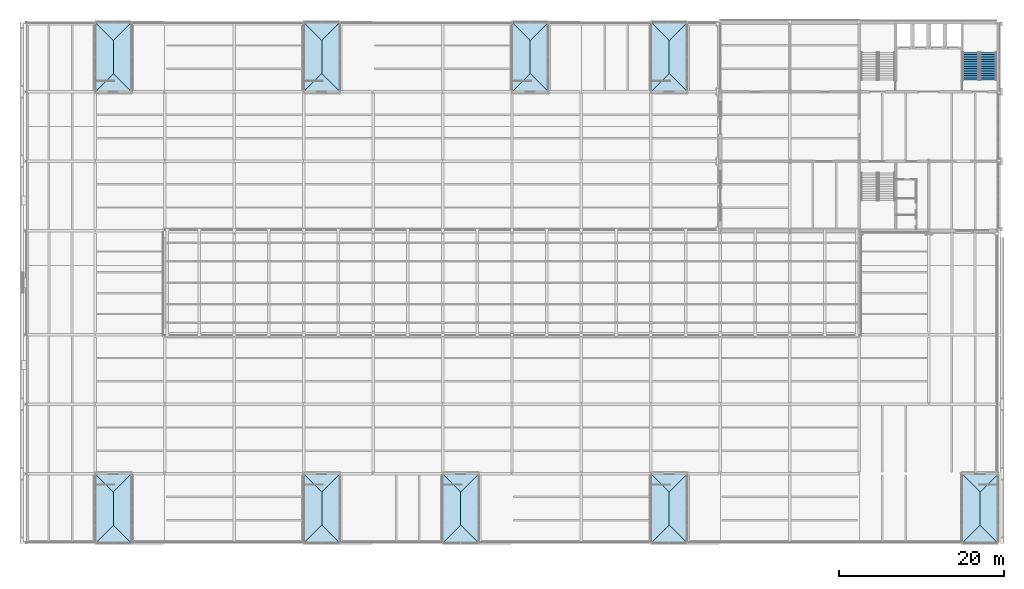
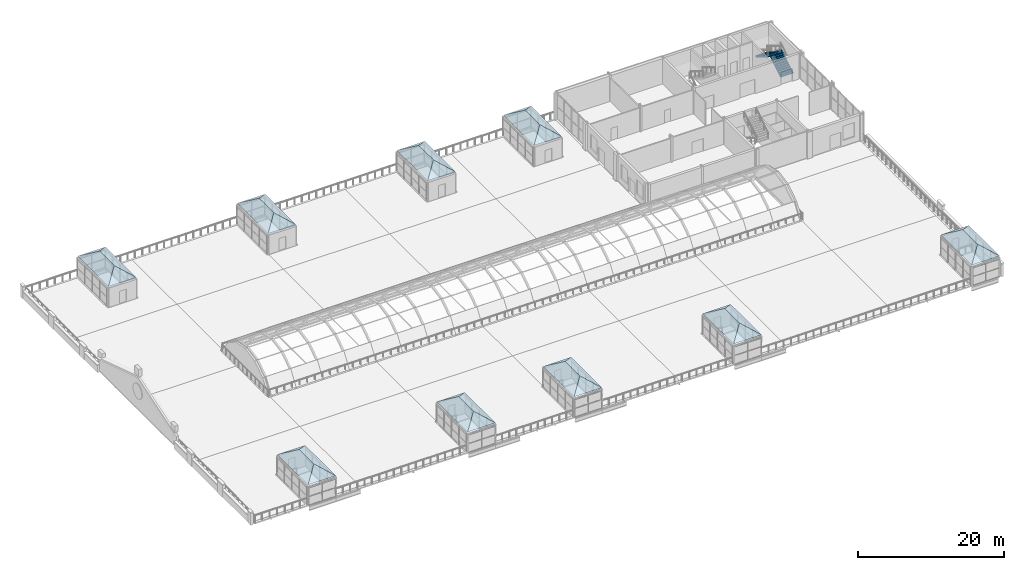
# One storey, part 42 of 58: 9 roofs, 2 stair flights, 1 element without a shape of its own.
"""IFC4 building model written with IfcOpenShell, lengths in metres."""

import ifcopenshell
import ifcopenshell.guid

model = None  # the IFC model being written
_history = None  # IfcOwnerHistory: only IFC2X3 demands one
_inside = {}  # id of a spatial element -> (the spatial element, [elements in it])
_under = {}  # id of a project, library or spatial element -> (it, [spatial elements below it])
_declared = {}  # id of a project -> (the project, [libraries it declares])
_typed = {}  # id of a type object -> (the type object, [elements of that type])
_made_of = {}  # id of a material, layer set ... -> (it, [elements and type objects made of it])


def new_model(schema):
    """Start an empty IFC model of exactly this schema.

    Asked for "IFC4X3", IfcOpenShell would pick the latest addendum, in which some entities
    have other attributes; the version numbers below select the first issue.
    IFC2X3 requires an IfcOwnerHistory on every rooted entity: one is made here for all.
    """
    global model, _history
    if schema == "IFC4X3":
        model = ifcopenshell.file(schema_version=(4, 3, 0, 0))
    else:
        model = ifcopenshell.file(schema=schema)
    _inside.clear()
    _under.clear()
    _declared.clear()
    _typed.clear()
    _made_of.clear()
    _history = None
    if model.schema == "IFC2X3":
        org = make("IfcOrganization", Name="unknown")
        user = make(
            "IfcPersonAndOrganization",
            ThePerson=make("IfcPerson", FamilyName="unknown"),
            TheOrganization=org,
        )
        app = make(
            "IfcApplication",
            ApplicationDeveloper=org,
            Version="unknown",
            ApplicationFullName="unknown",
            ApplicationIdentifier="unknown",
        )
        _history = make(
            "IfcOwnerHistory",
            OwningUser=user,
            OwningApplication=app,
            ChangeAction="ADDED",
            CreationDate=0,
        )
    return model


def make(cls, **values):
    """One entity of the class cls with the attributes given. An attribute that is None is left unset."""
    return model.create_entity(
        cls, **{name: value for name, value in values.items() if value is not None}
    )


def rooted(cls, **values):
    """An entity with a GlobalId (a new one), such as an element, a storey or a relation."""
    return make(cls, GlobalId=ifcopenshell.guid.new(), OwnerHistory=_history, **values)


def si_unit(unit_type, name, prefix=None):
    """IfcSIUnit, for example si_unit("LENGTHUNIT", "METRE", prefix="MILLI")."""
    return make("IfcSIUnit", UnitType=unit_type, Prefix=prefix, Name=name)


def assignment(units):
    """IfcUnitAssignment: the units of a project."""
    return None if units is None else make("IfcUnitAssignment", Units=units)


def point(xyz):
    """IfcCartesianPoint."""
    return None if xyz is None else make("IfcCartesianPoint", Coordinates=xyz)


def direction(xyz):
    """IfcDirection."""
    return None if xyz is None else make("IfcDirection", DirectionRatios=xyz)


def frame(location, z_axis=None, x_axis=None):
    """IfcAxis2Placement3D, a coordinate frame: its origin and axes. An axis left out is left unset."""
    return make(
        "IfcAxis2Placement3D",
        Location=point(location),
        Axis=direction(z_axis),
        RefDirection=direction(x_axis),
    )


def origin():
    """The frame at (0, 0, 0) with its axes left unset."""
    return frame((0.0, 0.0, 0.0))


def place(relative_to, where):
    """IfcLocalPlacement: puts the frame where relative to a parent placement (None: the world)."""
    return make(
        "IfcLocalPlacement", PlacementRelTo=relative_to, RelativePlacement=where
    )


def context(
    kind, dimensions, precision=None, world=None, true_north=None, identifier=None
):
    """IfcGeometricRepresentationContext, for example the 3D "Model" context."""
    return make(
        "IfcGeometricRepresentationContext",
        ContextIdentifier=identifier,
        ContextType=kind,
        CoordinateSpaceDimension=dimensions,
        Precision=precision,
        WorldCoordinateSystem=world,
        TrueNorth=true_north,
    )


def subcontext(parent, identifier, kind, view, scale=None):
    """IfcGeometricRepresentationSubContext, for example "Body" below "Model"."""
    return make(
        "IfcGeometricRepresentationSubContext",
        ContextIdentifier=identifier,
        ContextType=kind,
        ParentContext=parent,
        TargetScale=scale,
        TargetView=view,
    )


def project(units=None, contexts=None):
    """IfcProject with its units and contexts."""
    return rooted(
        "IfcProject",
        Name="project",
        RepresentationContexts=contexts,
        UnitsInContext=assignment(units),
    )


def spatial(cls, under=None, at=None, **own):
    """A site, building, storey or space (cls), placed at a placement, below another one or the project."""
    s = rooted(cls, ObjectPlacement=at, **own)
    if under is not None:
        _under.setdefault(under.id(), (under, []))[1].append(s)
    return s


def polyline(points):
    """IfcPolyline through the points."""
    return make("IfcPolyline", Points=[point(p) for p in points])


def outline(outer, holes=None, kind="AREA"):
    """IfcArbitraryClosedProfileDef: a profile drawn as a closed curve; with holes, ...WithVoids."""
    if holes is None:
        return make("IfcArbitraryClosedProfileDef", ProfileType=kind, OuterCurve=outer)
    return make(
        "IfcArbitraryProfileDefWithVoids",
        ProfileType=kind,
        OuterCurve=outer,
        InnerCurves=holes,
    )


def extrude(swept, where, along, depth):
    """IfcExtrudedAreaSolid: the profile swept, set in the frame where, extruded along a direction by depth."""
    return make(
        "IfcExtrudedAreaSolid",
        SweptArea=swept,
        Position=where,
        ExtrudedDirection=direction(along),
        Depth=depth,
    )


def faces_of(points, faces, orient=None, outer=None):
    """IfcFace entities. A face is a list of loops; a loop is a list of indices into points, from 0.

    orient and outer hold one flag for each loop. By default every Orientation is true, the
    first loop of a face is its IfcFaceOuterBound and the others are IfcFaceBound.
    """
    made = []
    for i, loops in enumerate(faces):
        bounds = []
        for j, loop in enumerate(loops):
            is_outer = j == 0 if outer is None else outer[i][j]
            bounds.append(
                make(
                    "IfcFaceOuterBound" if is_outer else "IfcFaceBound",
                    Bound=make("IfcPolyLoop", Polygon=[points[k] for k in loop]),
                    Orientation=True if orient is None else orient[i][j],
                )
            )
        made.append(make("IfcFace", Bounds=bounds))
    return made


def faceted_brep(points, faces, orient=None, outer=None, voids=None):
    """IfcFacetedBrep: a solid bounded by flat faces; with voids (closed shells), ...WithVoids."""
    shared = [point(p) for p in points]
    hull = make("IfcClosedShell", CfsFaces=faces_of(shared, faces, orient, outer))
    if voids is None:
        return make("IfcFacetedBrep", Outer=hull)
    return make(
        "IfcFacetedBrepWithVoids",
        Outer=hull,
        Voids=[
            make(cls, CfsFaces=faces_of(shared, fs, o, b)) for cls, fs, o, b in voids
        ],
    )


def shape(context_of_items, identifier, shape_type, items):
    """IfcShapeRepresentation: the items that make up one representation, for example the "Body"."""
    return make(
        "IfcShapeRepresentation",
        ContextOfItems=context_of_items,
        RepresentationIdentifier=identifier,
        RepresentationType=shape_type,
        Items=items,
    )


def material(Name=None, Category=None):
    """IfcMaterial."""
    return make("IfcMaterial", Name=Name, Category=Category)


def layer(
    of_material, thickness, ventilated=None, Name=None, Category=None, Priority=None
):
    """IfcMaterialLayer: one layer of a wall or slab, of a material (None: an air gap)."""
    return make(
        "IfcMaterialLayer",
        Material=of_material,
        LayerThickness=thickness,
        IsVentilated=ventilated,
        Name=Name,
        Category=Category,
        Priority=Priority,
    )


def layer_set(layers, Name=None):
    """IfcMaterialLayerSet."""
    return make("IfcMaterialLayerSet", MaterialLayers=layers, LayerSetName=Name)


def made_of(thing, what):
    """Note that an element or type object is made of a material, layer set ...; save() writes the relation."""
    if what is not None:
        _made_of.setdefault(what.id(), (what, []))[1].append(thing)
    return thing


def type_object(cls, material=None, **own):
    """A type object (cls), such as IfcWallType, which elements share."""
    return made_of(rooted(cls, **own), material)


def element(
    cls,
    number,
    at=None,
    inside=None,
    cuts=None,
    type_object=None,
    material=None,
    context=None,
    identifier="Body",
    shape_type=None,
    held_by="IfcProductDefinitionShape",
    body=None,
    shapes=None,
    **own,
):
    """One element of the class cls, such as IfcWall. Its Tag is "e" and its number.

    at: its placement. inside: the storey or other place that contains it. cuts: it is an
    opening in that element (IfcRelVoidsElement). A single representation is given by context,
    identifier, shape_type and body (its items); several are given by shapes. held_by: the class
    of the entity that holds the representations. save() writes the other relations.
    """
    e = rooted(cls, Tag="e%d" % number, ObjectPlacement=at, **own)
    if body is not None:
        shapes = [shape(context, identifier, shape_type, body)]
    if shapes is not None:
        e.Representation = make(held_by, Representations=shapes)
    if inside is not None:
        _inside.setdefault(inside.id(), (inside, []))[1].append(e)
    if cuts is not None:
        rooted(
            "IfcRelVoidsElement", RelatingBuildingElement=cuts, RelatedOpeningElement=e
        )
    if type_object is not None:
        _typed.setdefault(type_object.id(), (type_object, []))[1].append(e)
    return made_of(e, material)


def aggregate(whole, parts):
    """IfcRelAggregates: a whole, such as a stair, and the parts it consists of."""
    return rooted("IfcRelAggregates", RelatingObject=whole, RelatedObjects=parts)


def save(model, path):
    """Write the relations noted so far, then the file.

    IfcRelAggregates (storeys below a building ...), IfcRelContainedInSpatialStructure (elements
    in a storey), IfcRelDefinesByType, IfcRelAssociatesMaterial and IfcRelDeclares: one each for
    every whole, place, type object, material and project.
    """
    for whole, parts in _under.values():
        aggregate(whole, parts)
    for where, things in _inside.values():
        rooted(
            "IfcRelContainedInSpatialStructure",
            RelatedElements=things,
            RelatingStructure=where,
        )
    for kind, things in _typed.values():
        rooted("IfcRelDefinesByType", RelatedObjects=things, RelatingType=kind)
    for what, things in _made_of.values():
        rooted("IfcRelAssociatesMaterial", RelatedObjects=things, RelatingMaterial=what)
    for by, libraries in _declared.values():
        rooted("IfcRelDeclares", RelatingContext=by, RelatedDefinitions=libraries)
    model.write(path)


model = new_model("IFC4")

# Units and contexts
model_context = context("Model", 3, precision=1e-05, world=origin(), true_north=direction((0.0, 1.0)))
body_context = subcontext(model_context, "Body", "Model", "MODEL_VIEW")
ifc_project = project(units=[si_unit("LENGTHUNIT", "METRE"), si_unit("AREAUNIT", "SQUARE_METRE"), si_unit("VOLUMEUNIT", "CUBIC_METRE"), si_unit("PLANEANGLEUNIT", "RADIAN"), si_unit("MASSUNIT", "GRAM", prefix="KILO")], contexts=[model_context])

# Site, building, storey
site_placement = place(None, origin())
site = spatial("IfcSite", under=ifc_project, at=site_placement, CompositionType="ELEMENT")
building_placement = place(site_placement, origin())
building = spatial("IfcBuilding", under=site, at=building_placement, Name="Galleria Vessillo Department Store", CompositionType="ELEMENT")
storey_placement = place(building_placement, frame((0.0, 0.0, 31.199951171875)))
storey = spatial("IfcBuildingStorey", under=building, at=storey_placement, Name="L06", CompositionType="ELEMENT", Elevation=31.199951171875)

# Stair, stair flights
ifc_material_1 = material(Name="Concrete C32/40", Category="concrete")
stair_type = type_object("IfcStairType", Name="Half-turn escape stair 2000 mm, 26 risers of 169 mm", PredefinedType="HALF_TURN_STAIR", material=ifc_material_1)
stair_placement = place(storey_placement, origin())
stair = element("IfcStair", 1, at=stair_placement, inside=storey, type_object=stair_type, Name="Stair ST9 L06", PredefinedType="HALF_TURN_STAIR")
ifc_material_2 = material(Name="Concrete C32/40", Category="concrete")
stair_flight_type = type_object("IfcStairFlightType", Name="Stair flight 2000 mm, 13 risers of 169 mm", PredefinedType="STRAIGHT", material=ifc_material_2)
stair_flight_1_placement = place(storey_placement, frame((116.39990234375, 55.99951171875, 0.0), z_axis=(0.0, 0.0, 1.0), x_axis=(0.0, 1.0, 0.0)))
stair_flight_1 = element("IfcStairFlight", 2, at=stair_flight_1_placement, type_object=stair_flight_type, Name="ST9 flight 1", NumberOfRisers=13, NumberOfTreads=12, PredefinedType="STRAIGHT", RiserHeight=0.169230769, TreadLength=0.28, context=body_context, shape_type="SweptSolid", body=[
    extrude(outline(polyline([(0.0, 0.0), (0.0, 0.169189453125), (0.280029296875, 0.169189453125), (0.280029296875, 0.33837890625), (0.56005859375, 0.33837890625), (0.56005859375, 0.5078125), (0.840087890625, 0.5078125), (0.840087890625, 0.677001953125), (1.1201171875, 0.677001953125), (1.1201171875, 0.84619140625), (1.39990234375, 0.84619140625), (1.39990234375, 1.015380859375), (1.679931640625, 1.015380859375), (1.679931640625, 1.1845703125), (1.9599609375, 1.1845703125), (1.9599609375, 1.353759765625), (2.239990234375, 1.353759765625), (2.239990234375, 1.523193359375), (2.52001953125, 1.523193359375), (2.52001953125, 1.6923828125), (2.800048828125, 1.6923828125), (2.800048828125, 1.861572265625), (3.080078125, 1.861572265625), (3.080078125, 2.03076171875), (3.360107421875, 2.03076171875), (3.360107421875, 2.199951171875), (3.360107421875, 1.855712890625), (0.289794921875, 0.0), (0.0, 0.0)])), frame((0.0, 1.0, 0.0), z_axis=(0.0, -1.0, 0.0), x_axis=(1.0, 0.0, 0.0)), (0.0, 0.0, 1.0), 2.0),
])
stair_flight_2_placement = place(storey_placement, frame((114.300048828125, 59.359619140625, 2.199951171875), z_axis=(0.0, 0.0, 1.0), x_axis=(0.0, -1.0, 0.0)))
stair_flight_2 = element("IfcStairFlight", 3, at=stair_flight_2_placement, type_object=stair_flight_type, Name="ST9 flight 2", NumberOfRisers=13, NumberOfTreads=12, PredefinedType="STRAIGHT", RiserHeight=0.169230769, TreadLength=0.28, context=body_context, shape_type="SweptSolid", body=[
    extrude(outline(polyline([(0.0, 0.0), (0.0, 0.169189453125), (0.280029296875, 0.169189453125), (0.280029296875, 0.33837890625), (0.56005859375, 0.33837890625), (0.56005859375, 0.5078125), (0.840087890625, 0.5078125), (0.840087890625, 0.677001953125), (1.1201171875, 0.677001953125), (1.1201171875, 0.84619140625), (1.39990234375, 0.84619140625), (1.39990234375, 1.015380859375), (1.679931640625, 1.015380859375), (1.679931640625, 1.1845703125), (1.9599609375, 1.1845703125), (1.9599609375, 1.353759765625), (2.239990234375, 1.353759765625), (2.239990234375, 1.523193359375), (2.52001953125, 1.523193359375), (2.52001953125, 1.6923828125), (2.800048828125, 1.6923828125), (2.800048828125, 1.861572265625), (3.080078125, 1.861572265625), (3.080078125, 2.03076171875), (3.360107421875, 2.03076171875), (3.360107421875, 2.199951171875), (3.360107421875, 1.855712890625), (0.289794921875, 0.0), (0.0, 0.0)])), frame((0.0, 1.0, 0.0), z_axis=(0.0, -1.0, 0.0), x_axis=(1.0, 0.0, 0.0)), (0.0, 0.0, 1.0), 2.0),
])
aggregate(stair, [stair_flight_1, stair_flight_2])

# Roofs
ifc_material_3 = material(Name="Zinc standing-seam sheet")
ifc_layer = layer(ifc_material_3, 0.070068359375)
ifc_layer_set = layer_set([ifc_layer], Name="Zinc standing-seam sheet")
roof_type = type_object("IfcRoofType", Name="Zinc standing-seam hip roof 70 mm", PredefinedType="HIP_ROOF", material=ifc_layer_set)
roof_1_placement = place(storey_placement, frame((0.0, 0.0, -31.199951171875)))
element("IfcRoof", 4, at=roof_1_placement, inside=storey, type_object=roof_type, Name="Pavilion hip roof ST1", PredefinedType="HIP_ROOF", context=body_context, shape_type="Brep", body=[
    faceted_brep([(8.39990234375, 0.0, 34.60009765625), (12.800048828125, 0.0, 34.60009765625), (10.60009765625, 2.2001953125, 36.0), (12.800048828125, 8.39990234375, 34.60009765625), (10.60009765625, 6.19970703125, 36.0), (8.39990234375, 8.39990234375, 34.60009765625), (10.60009765625, 2.2001953125, 35.93017578125), (12.68994140625, 0.110107421875, 34.60009765625), (8.510009765625, 0.110107421875, 34.60009765625), (10.60009765625, 6.19970703125, 35.93017578125), (12.68994140625, 8.289794921875, 34.60009765625), (8.510009765625, 8.289794921875, 34.60009765625)], [[[0, 1, 2]], [[1, 3, 4, 2]], [[3, 5, 4]], [[5, 0, 2, 4]], [[6, 7, 8]], [[6, 9, 10, 7]], [[9, 11, 10]], [[9, 6, 8, 11]], [[0, 8, 7, 1]], [[1, 7, 10, 3]], [[3, 10, 11, 5]], [[5, 11, 8, 0]]]),
])
roof_2_placement = place(storey_placement, frame((0.0, 0.0, -31.199951171875)))
element("IfcRoof", 5, at=roof_2_placement, inside=storey, type_object=roof_type, Name="Pavilion hip roof ST2", PredefinedType="HIP_ROOF", context=body_context, shape_type="Brep", body=[
    faceted_brep([(8.39990234375, 54.60009765625, 34.60009765625), (12.800048828125, 54.60009765625, 34.60009765625), (10.60009765625, 56.80029296875, 36.0), (12.800048828125, 63.0, 34.60009765625), (10.60009765625, 60.7998046875, 36.0), (8.39990234375, 63.0, 34.60009765625), (10.60009765625, 56.80029296875, 35.93017578125), (12.68994140625, 54.710205078125, 34.60009765625), (8.510009765625, 54.710205078125, 34.60009765625), (10.60009765625, 60.7998046875, 35.93017578125), (12.68994140625, 62.889892578125, 34.60009765625), (8.510009765625, 62.889892578125, 34.60009765625)], [[[0, 1, 2]], [[1, 3, 4, 2]], [[3, 5, 4]], [[5, 0, 2, 4]], [[6, 7, 8]], [[6, 9, 10, 7]], [[9, 11, 10]], [[9, 6, 8, 11]], [[0, 8, 7, 1]], [[1, 7, 10, 3]], [[3, 10, 11, 5]], [[5, 11, 8, 0]]]),
])
roof_3_placement = place(storey_placement, frame((0.0, 0.0, -31.199951171875)))
element("IfcRoof", 6, at=roof_3_placement, inside=storey, type_object=roof_type, Name="Pavilion hip roof ST3", PredefinedType="HIP_ROOF", context=body_context, shape_type="Brep", body=[
    faceted_brep([(33.60009765625, 0.0, 34.60009765625), (38.0, 0.0, 34.60009765625), (35.800048828125, 2.199951171875, 36.0), (38.0, 8.39990234375, 34.60009765625), (35.800048828125, 6.199951171875, 36.0), (33.60009765625, 8.39990234375, 34.60009765625), (35.800048828125, 2.199951171875, 35.93017578125), (37.889892578125, 0.110107421875, 34.60009765625), (33.710205078125, 0.110107421875, 34.60009765625), (35.800048828125, 6.199951171875, 35.93017578125), (37.889892578125, 8.289794921875, 34.60009765625), (33.710205078125, 8.289794921875, 34.60009765625)], [[[0, 1, 2]], [[1, 3, 4, 2]], [[3, 5, 4]], [[5, 0, 2, 4]], [[6, 7, 8]], [[6, 9, 10, 7]], [[9, 11, 10]], [[9, 6, 8, 11]], [[0, 8, 7, 1]], [[1, 7, 10, 3]], [[3, 10, 11, 5]], [[5, 11, 8, 0]]]),
])
roof_4_placement = place(storey_placement, frame((0.0, 0.0, -31.199951171875)))
element("IfcRoof", 7, at=roof_4_placement, inside=storey, type_object=roof_type, Name="Pavilion hip roof ST4", PredefinedType="HIP_ROOF", context=body_context, shape_type="Brep", body=[
    faceted_brep([(33.60009765625, 54.60009765625, 34.60009765625), (38.0, 54.60009765625, 34.60009765625), (35.800048828125, 56.800048828125, 36.0), (38.0, 63.0, 34.60009765625), (35.800048828125, 60.800048828125, 36.0), (33.60009765625, 63.0, 34.60009765625), (35.800048828125, 56.800048828125, 35.93017578125), (37.889892578125, 54.710205078125, 34.60009765625), (33.710205078125, 54.710205078125, 34.60009765625), (35.800048828125, 60.800048828125, 35.93017578125), (37.889892578125, 62.889892578125, 34.60009765625), (33.710205078125, 62.889892578125, 34.60009765625)], [[[0, 1, 2]], [[1, 3, 4, 2]], [[3, 5, 4]], [[5, 0, 2, 4]], [[6, 7, 8]], [[6, 9, 10, 7]], [[9, 11, 10]], [[9, 6, 8, 11]], [[0, 8, 7, 1]], [[1, 7, 10, 3]], [[3, 10, 11, 5]], [[5, 11, 8, 0]]]),
])
roof_5_placement = place(storey_placement, frame((0.0, 0.0, -31.199951171875)))
element("IfcRoof", 8, at=roof_5_placement, inside=storey, type_object=roof_type, Name="Pavilion hip roof ST5", PredefinedType="HIP_ROOF", context=body_context, shape_type="Brep", body=[
    faceted_brep([(75.60009765625, 0.0, 34.60009765625), (80.0, 0.0, 34.60009765625), (77.800048828125, 2.199951171875, 36.0), (80.0, 8.39990234375, 34.60009765625), (77.800048828125, 6.199951171875, 36.0), (75.60009765625, 8.39990234375, 34.60009765625), (77.800048828125, 2.199951171875, 35.93017578125), (79.889892578125, 0.110107421875, 34.60009765625), (75.710205078125, 0.110107421875, 34.60009765625), (77.800048828125, 6.199951171875, 35.93017578125), (79.889892578125, 8.289794921875, 34.60009765625), (75.710205078125, 8.289794921875, 34.60009765625)], [[[0, 1, 2]], [[1, 3, 4, 2]], [[3, 5, 4]], [[5, 0, 2, 4]], [[6, 7, 8]], [[6, 9, 10, 7]], [[9, 11, 10]], [[9, 6, 8, 11]], [[0, 8, 7, 1]], [[1, 7, 10, 3]], [[3, 10, 11, 5]], [[5, 11, 8, 0]]]),
])
roof_6_placement = place(storey_placement, frame((0.0, 0.0, -31.199951171875)))
element("IfcRoof", 9, at=roof_6_placement, inside=storey, type_object=roof_type, Name="Pavilion hip roof ST6", PredefinedType="HIP_ROOF", context=body_context, shape_type="Brep", body=[
    faceted_brep([(75.60009765625, 54.60009765625, 34.60009765625), (80.0, 54.60009765625, 34.60009765625), (77.800048828125, 56.800048828125, 36.0), (80.0, 63.0, 34.60009765625), (77.800048828125, 60.800048828125, 36.0), (75.60009765625, 63.0, 34.60009765625), (77.800048828125, 56.800048828125, 35.93017578125), (79.889892578125, 54.710205078125, 34.60009765625), (75.710205078125, 54.710205078125, 34.60009765625), (77.800048828125, 60.800048828125, 35.93017578125), (79.889892578125, 62.889892578125, 34.60009765625), (75.710205078125, 62.889892578125, 34.60009765625)], [[[0, 1, 2]], [[1, 3, 4, 2]], [[3, 5, 4]], [[5, 0, 2, 4]], [[6, 7, 8]], [[6, 9, 10, 7]], [[9, 11, 10]], [[9, 6, 8, 11]], [[0, 8, 7, 1]], [[1, 7, 10, 3]], [[3, 10, 11, 5]], [[5, 11, 8, 0]]]),
])
roof_7_placement = place(storey_placement, frame((0.0, 0.0, -31.199951171875)))
element("IfcRoof", 10, at=roof_7_placement, inside=storey, type_object=roof_type, Name="Pavilion hip roof ST10", PredefinedType="HIP_ROOF", context=body_context, shape_type="Brep", body=[
    faceted_brep([(50.39990234375, 0.0, 34.60009765625), (54.800048828125, 0.0, 34.60009765625), (52.60009765625, 2.2001953125, 36.0), (54.800048828125, 8.39990234375, 34.60009765625), (52.60009765625, 6.19970703125, 36.0), (50.39990234375, 8.39990234375, 34.60009765625), (52.60009765625, 2.2001953125, 35.93017578125), (54.68994140625, 0.110107421875, 34.60009765625), (50.510009765625, 0.110107421875, 34.60009765625), (52.60009765625, 6.19970703125, 35.93017578125), (54.68994140625, 8.289794921875, 34.60009765625), (50.510009765625, 8.289794921875, 34.60009765625)], [[[0, 1, 2]], [[1, 3, 4, 2]], [[3, 5, 4]], [[5, 0, 2, 4]], [[6, 7, 8]], [[6, 9, 10, 7]], [[9, 11, 10]], [[9, 6, 8, 11]], [[0, 8, 7, 1]], [[1, 7, 10, 3]], [[3, 10, 11, 5]], [[5, 11, 8, 0]]]),
])
roof_8_placement = place(storey_placement, frame((0.0, 0.0, -31.199951171875)))
element("IfcRoof", 11, at=roof_8_placement, inside=storey, type_object=roof_type, Name="Pavilion hip roof ST11", PredefinedType="HIP_ROOF", context=body_context, shape_type="Brep", body=[
    faceted_brep([(58.800048828125, 54.60009765625, 34.60009765625), (63.199951171875, 54.60009765625, 34.60009765625), (61.0, 56.800048828125, 36.0), (63.199951171875, 63.0, 34.60009765625), (61.0, 60.800048828125, 36.0), (58.800048828125, 63.0, 34.60009765625), (61.0, 56.800048828125, 35.93017578125), (63.090087890625, 54.710205078125, 34.60009765625), (58.909912109375, 54.710205078125, 34.60009765625), (61.0, 60.800048828125, 35.93017578125), (63.090087890625, 62.889892578125, 34.60009765625), (58.909912109375, 62.889892578125, 34.60009765625)], [[[0, 1, 2]], [[1, 3, 4, 2]], [[3, 5, 4]], [[5, 0, 2, 4]], [[6, 7, 8]], [[6, 9, 10, 7]], [[9, 11, 10]], [[9, 6, 8, 11]], [[0, 8, 7, 1]], [[1, 7, 10, 3]], [[3, 10, 11, 5]], [[5, 11, 8, 0]]]),
])
roof_9_placement = place(storey_placement, frame((0.0, 0.0, -31.199951171875)))
element("IfcRoof", 12, at=roof_9_placement, inside=storey, type_object=roof_type, Name="Pavilion hip roof ST7", PredefinedType="HIP_ROOF", context=body_context, shape_type="Brep", body=[
    faceted_brep([(113.199951171875, 0.0, 34.60009765625), (117.60009765625, 0.0, 34.60009765625), (115.39990234375, 2.2001953125, 36.0), (117.60009765625, 8.39990234375, 34.60009765625), (115.39990234375, 6.19970703125, 36.0), (113.199951171875, 8.39990234375, 34.60009765625), (115.39990234375, 2.2001953125, 35.93017578125), (117.489990234375, 0.110107421875, 34.60009765625), (113.31005859375, 0.110107421875, 34.60009765625), (115.39990234375, 6.19970703125, 35.93017578125), (117.489990234375, 8.289794921875, 34.60009765625), (113.31005859375, 8.289794921875, 34.60009765625)], [[[0, 1, 2]], [[1, 3, 4, 2]], [[3, 5, 4]], [[5, 0, 2, 4]], [[6, 7, 8]], [[6, 9, 10, 7]], [[9, 11, 10]], [[9, 6, 8, 11]], [[0, 8, 7, 1]], [[1, 7, 10, 3]], [[3, 10, 11, 5]], [[5, 11, 8, 0]]]),
])

save(model, "model.ifc")
